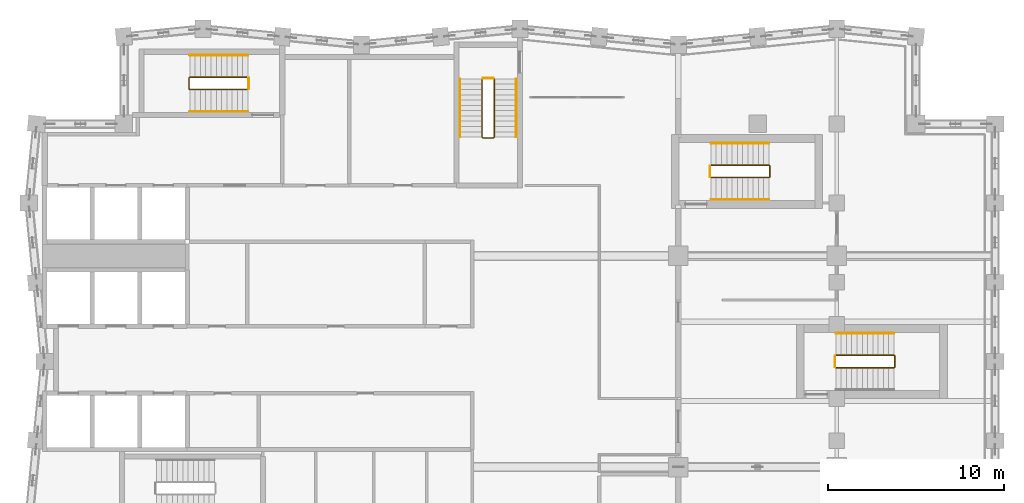
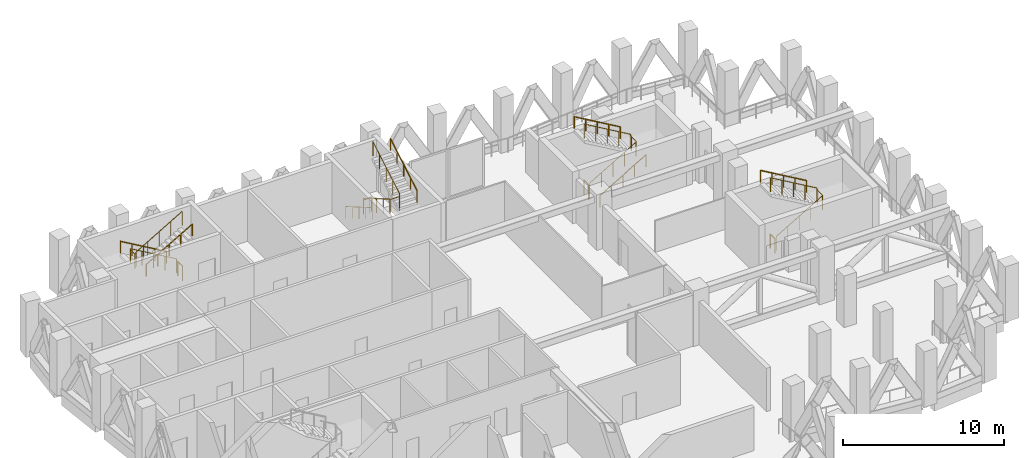
# One storey, part 18 of 18: 15 railings.
"""IFC4 building model written with IfcOpenShell, lengths in metres."""

from ifc_helpers import new_model, si_unit, direction, frame, origin, origin_2d, place, context, subcontext, project, spatial, circle, extrude, material, type_object, element, save


model = new_model("IFC4")

# Units and contexts
model_context = context("Model", 3, precision=1e-05, world=origin(), true_north=direction((0.0, 1.0)))
body_context = subcontext(model_context, "Body", "Model", "MODEL_VIEW")
ifc_project = project(units=[si_unit("LENGTHUNIT", "METRE"), si_unit("AREAUNIT", "SQUARE_METRE"), si_unit("VOLUMEUNIT", "CUBIC_METRE"), si_unit("PLANEANGLEUNIT", "RADIAN"), si_unit("MASSUNIT", "GRAM", prefix="KILO")], contexts=[model_context])

# Site, building, storey
site_placement = place(None, origin())
site = spatial("IfcSite", under=ifc_project, at=site_placement, CompositionType="ELEMENT")
building_placement = place(site_placement, origin())
building = spatial("IfcBuilding", under=site, at=building_placement, Name="Brondeck Convention Tower", CompositionType="ELEMENT")
storey_placement = place(building_placement, frame((0.0, 0.0, 248.199951171875)))
storey = spatial("IfcBuildingStorey", under=building, at=storey_placement, Name="L61", CompositionType="ELEMENT", Elevation=248.199951171875)

# Railings
ifc_material = material(Name="Steel S355", Category="steel")
railing_type_1 = type_object("IfcRailingType", Name="Stair guard 1100", PredefinedType="GUARDRAIL", material=ifc_material)
railing_1_placement = place(storey_placement, frame((24.85009765625, 61.050048828125, 0.175048828125)))
element("IfcRailing", 1, at=railing_1_placement, inside=storey, type_object=railing_type_1, Name="L61 ST-2 stair guard 1", PredefinedType="GUARDRAIL", context=body_context, shape_type="SweptSolid", body=[
    extrude(circle(Radius=0.02392578125, at=origin_2d()), frame((0.0, 0.0, 1.076171875), z_axis=(0.0, -0.863776583165, 0.503874998761), x_axis=(1.0, 0.0, 0.0)), (0.0, 0.0, 1.0), 3.820556640625),
    extrude(circle(Radius=0.02392578125, at=origin_2d()), frame((0.0, -3.300048828125, 3.0009765625), z_axis=(0.705375805398, -0.708833529934, 0.0), x_axis=(0.708833529934, 0.705375805398, 0.0)), (0.0, 0.0, 1.0), 0.070556640625),
    extrude(circle(Radius=0.02392578125, at=origin_2d()), frame((0.0498046875, -3.35009765625, 3.0009765625), z_axis=(1.0, 0.0, 0.0), x_axis=(0.0, 1.0, 0.0)), (0.0, 0.0, 1.0), 0.60009765625),
    extrude(circle(Radius=0.02392578125, at=origin_2d()), frame((0.64990234375, -3.35009765625, 3.0009765625), z_axis=(0.265065253269, 0.265065253269, 0.927081885822), x_axis=(-0.707106781187, 0.707106781187, 0.0)), (0.0, 0.0, 1.0), 0.188720703125),
    extrude(circle(Radius=0.02392578125, at=origin_2d()), frame((0.699951171875, -3.300048828125, 3.17626953125), z_axis=(0.0, 0.863804395585, 0.503827317807), x_axis=(-1.0, 0.0, 0.0)), (0.0, 0.0, 1.0), 3.8203125),
    extrude(circle(Radius=0.02099609375, at=origin_2d()), origin(), (0.0, 0.0, 1.0), 1.052001953125),
    extrude(circle(Radius=0.02099609375, at=origin_2d()), frame((0.0, -0.824951171875, 0.481201171875)), (0.0, 0.0, 1.0), 1.052001953125),
    extrude(circle(Radius=0.02099609375, at=origin_2d()), frame((0.0, -1.64990234375, 0.96240234375)), (0.0, 0.0, 1.0), 1.052001953125),
    extrude(circle(Radius=0.02099609375, at=origin_2d()), frame((0.0, -2.47509765625, 1.44384765625)), (0.0, 0.0, 1.0), 1.052001953125),
    extrude(circle(Radius=0.02099609375, at=origin_2d()), frame((0.0, -3.300048828125, 1.925048828125)), (0.0, 0.0, 1.0), 1.052001953125),
    extrude(circle(Radius=0.02099609375, at=origin_2d()), frame((0.0498046875, -3.35009765625, 1.925048828125)), (0.0, 0.0, 1.0), 1.052001953125),
    extrude(circle(Radius=0.02099609375, at=origin_2d()), frame((0.64990234375, -3.35009765625, 1.925048828125)), (0.0, 0.0, 1.0), 1.052001953125),
    extrude(circle(Radius=0.02099609375, at=origin_2d()), frame((0.699951171875, -3.300048828125, 2.10009765625)), (0.0, 0.0, 1.0), 1.052001953125),
    extrude(circle(Radius=0.02099609375, at=origin_2d()), frame((0.699951171875, -2.47509765625, 2.581298828125)), (0.0, 0.0, 1.0), 1.052001953125),
    extrude(circle(Radius=0.02099609375, at=origin_2d()), frame((0.699951171875, -1.64990234375, 3.0625)), (0.0, 0.0, 1.0), 1.052001953125),
    extrude(circle(Radius=0.02099609375, at=origin_2d()), frame((0.699951171875, -0.824951171875, 3.543701171875)), (0.0, 0.0, 1.0), 1.052001953125),
    extrude(circle(Radius=0.02099609375, at=origin_2d()), frame((0.699951171875, 0.0, 4.02490234375)), (0.0, 0.0, 1.0), 1.052001953125),
])
railing_2_placement = place(storey_placement, frame((24.89990234375, 61.10009765625, 0.0)))
element("IfcRailing", 2, at=railing_2_placement, inside=storey, type_object=railing_type_1, Name="L61 ST-2 stair guard 2", PredefinedType="GUARDRAIL", context=body_context, shape_type="SweptSolid", body=[
    extrude(circle(Radius=0.02392578125, at=origin_2d()), frame((0.0, 0.0, 1.076171875), z_axis=(1.0, 0.0, 0.0), x_axis=(0.0, 1.0, 0.0)), (0.0, 0.0, 1.0), 0.60009765625),
    extrude(circle(Radius=0.02099609375, at=origin_2d()), origin(), (0.0, 0.0, 1.0), 1.052001953125),
    extrude(circle(Radius=0.02099609375, at=origin_2d()), frame((0.60009765625, 0.0, 0.0)), (0.0, 0.0, 1.0), 1.052001953125),
])
railing_3_placement = place(storey_placement, frame((11.550048828125, 61.14990234375, 0.175048828125)))
element("IfcRailing", 3, at=railing_3_placement, inside=storey, type_object=railing_type_1, Name="L61 ST-3 stair guard 1", PredefinedType="GUARDRAIL", context=body_context, shape_type="SweptSolid", body=[
    extrude(circle(Radius=0.02392578125, at=origin_2d()), frame((0.0, 0.0, 1.076171875), z_axis=(-0.863776583165, 0.0, 0.503874998761), x_axis=(0.0, -1.0, 0.0)), (0.0, 0.0, 1.0), 3.820556640625),
    extrude(circle(Radius=0.02392578125, at=origin_2d()), frame((-3.300048828125, 0.0, 3.0009765625), z_axis=(-0.708833529934, -0.705375805398, 0.0), x_axis=(0.705375805398, -0.708833529934, 0.0)), (0.0, 0.0, 1.0), 0.070556640625),
    extrude(circle(Radius=0.02392578125, at=origin_2d()), frame((-3.35009765625, -0.0498046875, 3.0009765625), z_axis=(0.0, -1.0, 0.0), x_axis=(1.0, 0.0, 0.0)), (0.0, 0.0, 1.0), 0.60009765625),
    extrude(circle(Radius=0.02392578125, at=origin_2d()), frame((-3.35009765625, -0.64990234375, 3.0009765625), z_axis=(0.265065253269, -0.265065253269, 0.927081885822), x_axis=(0.707106781187, 0.707106781187, 0.0)), (0.0, 0.0, 1.0), 0.188720703125),
    extrude(circle(Radius=0.02392578125, at=origin_2d()), frame((-3.300048828125, -0.699951171875, 3.17626953125), z_axis=(0.863804395585, 0.0, 0.503827317807), x_axis=(0.0, 1.0, 0.0)), (0.0, 0.0, 1.0), 3.8203125),
    extrude(circle(Radius=0.02099609375, at=origin_2d()), origin(), (0.0, 0.0, 1.0), 1.052001953125),
    extrude(circle(Radius=0.02099609375, at=origin_2d()), frame((-0.824951171875, 0.0, 0.481201171875)), (0.0, 0.0, 1.0), 1.052001953125),
    extrude(circle(Radius=0.02099609375, at=origin_2d()), frame((-1.64990234375, 0.0, 0.96240234375)), (0.0, 0.0, 1.0), 1.052001953125),
    extrude(circle(Radius=0.02099609375, at=origin_2d()), frame((-2.47509765625, 0.0, 1.44384765625)), (0.0, 0.0, 1.0), 1.052001953125),
    extrude(circle(Radius=0.02099609375, at=origin_2d()), frame((-3.300048828125, 0.0, 1.925048828125)), (0.0, 0.0, 1.0), 1.052001953125),
    extrude(circle(Radius=0.02099609375, at=origin_2d()), frame((-3.35009765625, -0.0498046875, 1.925048828125)), (0.0, 0.0, 1.0), 1.052001953125),
    extrude(circle(Radius=0.02099609375, at=origin_2d()), frame((-3.35009765625, -0.64990234375, 1.925048828125)), (0.0, 0.0, 1.0), 1.052001953125),
    extrude(circle(Radius=0.02099609375, at=origin_2d()), frame((-3.300048828125, -0.699951171875, 2.10009765625)), (0.0, 0.0, 1.0), 1.052001953125),
    extrude(circle(Radius=0.02099609375, at=origin_2d()), frame((-2.47509765625, -0.699951171875, 2.581298828125)), (0.0, 0.0, 1.0), 1.052001953125),
    extrude(circle(Radius=0.02099609375, at=origin_2d()), frame((-1.64990234375, -0.699951171875, 3.0625)), (0.0, 0.0, 1.0), 1.052001953125),
    extrude(circle(Radius=0.02099609375, at=origin_2d()), frame((-0.824951171875, -0.699951171875, 3.543701171875)), (0.0, 0.0, 1.0), 1.052001953125),
    extrude(circle(Radius=0.02099609375, at=origin_2d()), frame((0.0, -0.699951171875, 4.02490234375)), (0.0, 0.0, 1.0), 1.052001953125),
])
railing_4_placement = place(storey_placement, frame((11.60009765625, 61.10009765625, 0.0)))
element("IfcRailing", 4, at=railing_4_placement, inside=storey, type_object=railing_type_1, Name="L61 ST-3 stair guard 2", PredefinedType="GUARDRAIL", context=body_context, shape_type="SweptSolid", body=[
    extrude(circle(Radius=0.02392578125, at=origin_2d()), frame((0.0, 0.0, 1.076171875), z_axis=(0.0, -1.0, 0.0), x_axis=(1.0, 0.0, 0.0)), (0.0, 0.0, 1.0), 0.60009765625),
    extrude(circle(Radius=0.02099609375, at=origin_2d()), origin(), (0.0, 0.0, 1.0), 1.052001953125),
    extrude(circle(Radius=0.02099609375, at=origin_2d()), frame((0.0, -0.60009765625, 0.0)), (0.0, 0.0, 1.0), 1.052001953125),
])
railing_5_placement = place(storey_placement, frame((37.85009765625, 55.449951171875, 0.175048828125)))
element("IfcRailing", 5, at=railing_5_placement, inside=storey, type_object=railing_type_1, Name="L61 ST-AE stair guard 1", PredefinedType="GUARDRAIL", context=body_context, shape_type="SweptSolid", body=[
    extrude(circle(Radius=0.02392578125, at=origin_2d()), frame((0.0, 0.0, 1.076171875), z_axis=(0.863760357493, 0.0, 0.503902812876), x_axis=(0.0, 1.0, 0.0)), (0.0, 0.0, 1.0), 3.8203125),
    extrude(circle(Radius=0.02392578125, at=origin_2d()), frame((3.2998046875, 0.0, 3.0009765625), z_axis=(0.707106781187, 0.707106781187, 0.0), x_axis=(-0.707106781187, 0.707106781187, 0.0)), (0.0, 0.0, 1.0), 0.07080078125),
    extrude(circle(Radius=0.02392578125, at=origin_2d()), frame((3.349853515625, 0.050048828125, 3.0009765625), z_axis=(0.0, 1.0, 0.0), x_axis=(-1.0, 0.0, 0.0)), (0.0, 0.0, 1.0), 0.60009765625),
    extrude(circle(Radius=0.02392578125, at=origin_2d()), frame((3.349853515625, 0.650146484375, 3.0009765625), z_axis=(-0.265155923931, 0.263862480399, 0.927399011991), x_axis=(-0.705375805398, -0.708833529934, 0.0)), (0.0, 0.0, 1.0), 0.188720703125),
    extrude(circle(Radius=0.02392578125, at=origin_2d()), frame((3.2998046875, 0.699951171875, 3.17626953125), z_axis=(-0.863788172461, 0.0, 0.503855131081), x_axis=(0.0, -1.0, 0.0)), (0.0, 0.0, 1.0), 3.820068359375),
    extrude(circle(Radius=0.02099609375, at=origin_2d()), origin(), (0.0, 0.0, 1.0), 1.052001953125),
    extrude(circle(Radius=0.02099609375, at=origin_2d()), frame((0.824951171875, 0.0, 0.481201171875)), (0.0, 0.0, 1.0), 1.052001953125),
    extrude(circle(Radius=0.02099609375, at=origin_2d()), frame((1.64990234375, 0.0, 0.96240234375)), (0.0, 0.0, 1.0), 1.052001953125),
    extrude(circle(Radius=0.02099609375, at=origin_2d()), frame((2.474853515625, 0.0, 1.44384765625)), (0.0, 0.0, 1.0), 1.052001953125),
    extrude(circle(Radius=0.02099609375, at=origin_2d()), frame((3.2998046875, 0.0, 1.925048828125)), (0.0, 0.0, 1.0), 1.052001953125),
    extrude(circle(Radius=0.02099609375, at=origin_2d()), frame((3.349853515625, 0.050048828125, 1.925048828125)), (0.0, 0.0, 1.0), 1.052001953125),
    extrude(circle(Radius=0.02099609375, at=origin_2d()), frame((3.349853515625, 0.650146484375, 1.925048828125)), (0.0, 0.0, 1.0), 1.052001953125),
    extrude(circle(Radius=0.02099609375, at=origin_2d()), frame((3.2998046875, 0.699951171875, 2.10009765625)), (0.0, 0.0, 1.0), 1.052001953125),
    extrude(circle(Radius=0.02099609375, at=origin_2d()), frame((2.474853515625, 0.699951171875, 2.581298828125)), (0.0, 0.0, 1.0), 1.052001953125),
    extrude(circle(Radius=0.02099609375, at=origin_2d()), frame((1.64990234375, 0.699951171875, 3.0625)), (0.0, 0.0, 1.0), 1.052001953125),
    extrude(circle(Radius=0.02099609375, at=origin_2d()), frame((0.824951171875, 0.699951171875, 3.543701171875)), (0.0, 0.0, 1.0), 1.052001953125),
    extrude(circle(Radius=0.02099609375, at=origin_2d()), frame((0.0, 0.699951171875, 4.02490234375)), (0.0, 0.0, 1.0), 1.052001953125),
])
railing_6_placement = place(storey_placement, frame((37.800048828125, 55.5, 0.0)))
element("IfcRailing", 6, at=railing_6_placement, inside=storey, type_object=railing_type_1, Name="L61 ST-AE stair guard 2", PredefinedType="GUARDRAIL", context=body_context, shape_type="SweptSolid", body=[
    extrude(circle(Radius=0.02392578125, at=origin_2d()), frame((0.0, 0.0, 1.076171875), z_axis=(0.0, 1.0, 0.0), x_axis=(-1.0, 0.0, 0.0)), (0.0, 0.0, 1.0), 0.60009765625),
    extrude(circle(Radius=0.02099609375, at=origin_2d()), origin(), (0.0, 0.0, 1.0), 1.052001953125),
    extrude(circle(Radius=0.02099609375, at=origin_2d()), frame((0.0, 0.60009765625, 0.0)), (0.0, 0.0, 1.0), 1.052001953125),
])
railing_7_placement = place(storey_placement, frame((44.949951171875, 44.64990234375, 0.175048828125)))
element("IfcRailing", 7, at=railing_7_placement, inside=storey, type_object=railing_type_1, Name="L61 ST-AF stair guard 1", PredefinedType="GUARDRAIL", context=body_context, shape_type="SweptSolid", body=[
    extrude(circle(Radius=0.02392578125, at=origin_2d()), frame((0.0, 0.0, 1.076171875), z_axis=(0.863776583165, 0.0, 0.503874998761), x_axis=(0.0, 1.0, 0.0)), (0.0, 0.0, 1.0), 3.820556640625),
    extrude(circle(Radius=0.02392578125, at=origin_2d()), frame((3.300048828125, 0.0, 3.0009765625), z_axis=(0.707106781187, 0.707106781187, 0.0), x_axis=(-0.707106781187, 0.707106781187, 0.0)), (0.0, 0.0, 1.0), 0.07080078125),
    extrude(circle(Radius=0.02392578125, at=origin_2d()), frame((3.35009765625, 0.050048828125, 3.0009765625), z_axis=(0.0, 1.0, 0.0), x_axis=(-1.0, 0.0, 0.0)), (0.0, 0.0, 1.0), 0.60009765625),
    extrude(circle(Radius=0.02392578125, at=origin_2d()), frame((3.35009765625, 0.650146484375, 3.0009765625), z_axis=(-0.265065253269, 0.265065253269, 0.927081885822), x_axis=(-0.707106781187, -0.707106781187, 0.0)), (0.0, 0.0, 1.0), 0.188720703125),
    extrude(circle(Radius=0.02392578125, at=origin_2d()), frame((3.300048828125, 0.7001953125, 3.17626953125), z_axis=(-0.863804395585, 0.0, 0.503827317807), x_axis=(0.0, -1.0, 0.0)), (0.0, 0.0, 1.0), 3.8203125),
    extrude(circle(Radius=0.02099609375, at=origin_2d()), origin(), (0.0, 0.0, 1.0), 1.052001953125),
    extrude(circle(Radius=0.02099609375, at=origin_2d()), frame((0.824951171875, 0.0, 0.481201171875)), (0.0, 0.0, 1.0), 1.052001953125),
    extrude(circle(Radius=0.02099609375, at=origin_2d()), frame((1.64990234375, 0.0, 0.96240234375)), (0.0, 0.0, 1.0), 1.052001953125),
    extrude(circle(Radius=0.02099609375, at=origin_2d()), frame((2.47509765625, 0.0, 1.44384765625)), (0.0, 0.0, 1.0), 1.052001953125),
    extrude(circle(Radius=0.02099609375, at=origin_2d()), frame((3.300048828125, 0.0, 1.925048828125)), (0.0, 0.0, 1.0), 1.052001953125),
    extrude(circle(Radius=0.02099609375, at=origin_2d()), frame((3.35009765625, 0.050048828125, 1.925048828125)), (0.0, 0.0, 1.0), 1.052001953125),
    extrude(circle(Radius=0.02099609375, at=origin_2d()), frame((3.35009765625, 0.650146484375, 1.925048828125)), (0.0, 0.0, 1.0), 1.052001953125),
    extrude(circle(Radius=0.02099609375, at=origin_2d()), frame((3.300048828125, 0.7001953125, 2.10009765625)), (0.0, 0.0, 1.0), 1.052001953125),
    extrude(circle(Radius=0.02099609375, at=origin_2d()), frame((2.47509765625, 0.7001953125, 2.581298828125)), (0.0, 0.0, 1.0), 1.052001953125),
    extrude(circle(Radius=0.02099609375, at=origin_2d()), frame((1.64990234375, 0.7001953125, 3.0625)), (0.0, 0.0, 1.0), 1.052001953125),
    extrude(circle(Radius=0.02099609375, at=origin_2d()), frame((0.824951171875, 0.7001953125, 3.543701171875)), (0.0, 0.0, 1.0), 1.052001953125),
    extrude(circle(Radius=0.02099609375, at=origin_2d()), frame((0.0, 0.7001953125, 4.02490234375)), (0.0, 0.0, 1.0), 1.052001953125),
])
railing_8_placement = place(storey_placement, frame((44.89990234375, 44.699951171875, 0.0)))
element("IfcRailing", 8, at=railing_8_placement, inside=storey, type_object=railing_type_1, Name="L61 ST-AF stair guard 2", PredefinedType="GUARDRAIL", context=body_context, shape_type="SweptSolid", body=[
    extrude(circle(Radius=0.02392578125, at=origin_2d()), frame((0.0, 0.0, 1.076171875), z_axis=(0.0, 1.0, 0.0), x_axis=(-1.0, 0.0, 0.0)), (0.0, 0.0, 1.0), 0.60009765625),
    extrude(circle(Radius=0.02099609375, at=origin_2d()), origin(), (0.0, 0.0, 1.0), 1.052001953125),
    extrude(circle(Radius=0.02099609375, at=origin_2d()), frame((0.0, 0.60009765625, 0.0)), (0.0, 0.0, 1.0), 1.052001953125),
])
railing_type_2 = type_object("IfcRailingType", Name="Stair handrail", PredefinedType="HANDRAIL", material=ifc_material)
railing_9_placement = place(storey_placement, frame((23.60009765625, 61.050048828125, 0.175048828125)))
element("IfcRailing", 9, at=railing_9_placement, inside=storey, type_object=railing_type_2, Name="L61 ST-2 stair handrail 1", PredefinedType="HANDRAIL", context=body_context, shape_type="SweptSolid", body=[
    extrude(circle(Radius=0.02392578125, at=origin_2d()), frame((0.0, 0.0, 0.8759765625), z_axis=(0.0, -0.863776583165, 0.503874998761), x_axis=(1.0, 0.0, 0.0)), (0.0, 0.0, 1.0), 3.820556640625),
    extrude(circle(Radius=0.02099609375, at=origin_2d()), origin(), (0.0, 0.0, 1.0), 0.851806640625),
    extrude(circle(Radius=0.02099609375, at=origin_2d()), frame((0.0, -0.824951171875, 0.481201171875)), (0.0, 0.0, 1.0), 0.851806640625),
    extrude(circle(Radius=0.02099609375, at=origin_2d()), frame((0.0, -1.64990234375, 0.96240234375)), (0.0, 0.0, 1.0), 0.851806640625),
    extrude(circle(Radius=0.02099609375, at=origin_2d()), frame((0.0, -2.47509765625, 1.44384765625)), (0.0, 0.0, 1.0), 0.851806640625),
    extrude(circle(Radius=0.02099609375, at=origin_2d()), frame((0.0, -3.300048828125, 1.925048828125)), (0.0, 0.0, 1.0), 0.851806640625),
])
railing_10_placement = place(storey_placement, frame((26.800048828125, 57.75, 2.275146484375)))
element("IfcRailing", 10, at=railing_10_placement, inside=storey, type_object=railing_type_2, Name="L61 ST-2 stair handrail 2", PredefinedType="HANDRAIL", context=body_context, shape_type="SweptSolid", body=[
    extrude(circle(Radius=0.02392578125, at=origin_2d()), frame((0.0, 0.0, 0.8759765625), z_axis=(0.0, 0.863804395585, 0.503827317807), x_axis=(-1.0, 0.0, 0.0)), (0.0, 0.0, 1.0), 3.8203125),
    extrude(circle(Radius=0.02099609375, at=origin_2d()), origin(), (0.0, 0.0, 1.0), 0.851806640625),
    extrude(circle(Radius=0.02099609375, at=origin_2d()), frame((0.0, 0.824951171875, 0.481201171875)), (0.0, 0.0, 1.0), 0.851806640625),
    extrude(circle(Radius=0.02099609375, at=origin_2d()), frame((0.0, 1.64990234375, 0.96240234375)), (0.0, 0.0, 1.0), 0.851806640625),
    extrude(circle(Radius=0.02099609375, at=origin_2d()), frame((0.0, 2.47509765625, 1.443603515625)), (0.0, 0.0, 1.0), 0.851806640625),
    extrude(circle(Radius=0.02099609375, at=origin_2d()), frame((0.0, 3.300048828125, 1.9248046875)), (0.0, 0.0, 1.0), 0.851806640625),
])
railing_11_placement = place(storey_placement, frame((11.550048828125, 62.39990234375, 0.175048828125)))
element("IfcRailing", 11, at=railing_11_placement, inside=storey, type_object=railing_type_2, Name="L61 ST-3 stair handrail 1", PredefinedType="HANDRAIL", context=body_context, shape_type="SweptSolid", body=[
    extrude(circle(Radius=0.02392578125, at=origin_2d()), frame((0.0, 0.0, 0.8759765625), z_axis=(-0.863776583165, 0.0, 0.503874998761), x_axis=(0.0, -1.0, 0.0)), (0.0, 0.0, 1.0), 3.820556640625),
    extrude(circle(Radius=0.02099609375, at=origin_2d()), origin(), (0.0, 0.0, 1.0), 0.851806640625),
    extrude(circle(Radius=0.02099609375, at=origin_2d()), frame((-0.824951171875, 0.0, 0.481201171875)), (0.0, 0.0, 1.0), 0.851806640625),
    extrude(circle(Radius=0.02099609375, at=origin_2d()), frame((-1.64990234375, 0.0, 0.96240234375)), (0.0, 0.0, 1.0), 0.851806640625),
    extrude(circle(Radius=0.02099609375, at=origin_2d()), frame((-2.47509765625, 0.0, 1.44384765625)), (0.0, 0.0, 1.0), 0.851806640625),
    extrude(circle(Radius=0.02099609375, at=origin_2d()), frame((-3.300048828125, 0.0, 1.925048828125)), (0.0, 0.0, 1.0), 0.851806640625),
])
railing_12_placement = place(storey_placement, frame((8.25, 59.199951171875, 2.275146484375)))
element("IfcRailing", 12, at=railing_12_placement, inside=storey, type_object=railing_type_2, Name="L61 ST-3 stair handrail 2", PredefinedType="HANDRAIL", context=body_context, shape_type="SweptSolid", body=[
    extrude(circle(Radius=0.02392578125, at=origin_2d()), frame((0.0, 0.0, 0.8759765625), z_axis=(0.863804395585, 0.0, 0.503827317807), x_axis=(0.0, 1.0, 0.0)), (0.0, 0.0, 1.0), 3.8203125),
    extrude(circle(Radius=0.02099609375, at=origin_2d()), origin(), (0.0, 0.0, 1.0), 0.851806640625),
    extrude(circle(Radius=0.02099609375, at=origin_2d()), frame((0.824951171875, 0.0, 0.481201171875)), (0.0, 0.0, 1.0), 0.851806640625),
    extrude(circle(Radius=0.02099609375, at=origin_2d()), frame((1.64990234375, 0.0, 0.96240234375)), (0.0, 0.0, 1.0), 0.851806640625),
    extrude(circle(Radius=0.02099609375, at=origin_2d()), frame((2.47509765625, 0.0, 1.443603515625)), (0.0, 0.0, 1.0), 0.851806640625),
    extrude(circle(Radius=0.02099609375, at=origin_2d()), frame((3.300048828125, 0.0, 1.9248046875)), (0.0, 0.0, 1.0), 0.851806640625),
])
railing_13_placement = place(storey_placement, frame((37.85009765625, 54.199951171875, 0.175048828125)))
element("IfcRailing", 13, at=railing_13_placement, inside=storey, type_object=railing_type_2, Name="L61 ST-AE stair handrail 1", PredefinedType="HANDRAIL", context=body_context, shape_type="SweptSolid", body=[
    extrude(circle(Radius=0.02392578125, at=origin_2d()), frame((0.0, 0.0, 0.8759765625), z_axis=(0.863760357493, 0.0, 0.503902812876), x_axis=(0.0, 1.0, 0.0)), (0.0, 0.0, 1.0), 3.8203125),
    extrude(circle(Radius=0.02099609375, at=origin_2d()), origin(), (0.0, 0.0, 1.0), 0.851806640625),
    extrude(circle(Radius=0.02099609375, at=origin_2d()), frame((0.824951171875, 0.0, 0.481201171875)), (0.0, 0.0, 1.0), 0.851806640625),
    extrude(circle(Radius=0.02099609375, at=origin_2d()), frame((1.64990234375, 0.0, 0.96240234375)), (0.0, 0.0, 1.0), 0.851806640625),
    extrude(circle(Radius=0.02099609375, at=origin_2d()), frame((2.474853515625, 0.0, 1.44384765625)), (0.0, 0.0, 1.0), 0.851806640625),
    extrude(circle(Radius=0.02099609375, at=origin_2d()), frame((3.2998046875, 0.0, 1.925048828125)), (0.0, 0.0, 1.0), 0.851806640625),
])
railing_14_placement = place(storey_placement, frame((41.14990234375, 57.39990234375, 2.275146484375)))
element("IfcRailing", 14, at=railing_14_placement, inside=storey, type_object=railing_type_2, Name="L61 ST-AE stair handrail 2", PredefinedType="HANDRAIL", context=body_context, shape_type="SweptSolid", body=[
    extrude(circle(Radius=0.02392578125, at=origin_2d()), frame((0.0, 0.0, 0.8759765625), z_axis=(-0.863788172461, 0.0, 0.503855131081), x_axis=(0.0, -1.0, 0.0)), (0.0, 0.0, 1.0), 3.820068359375),
    extrude(circle(Radius=0.02099609375, at=origin_2d()), origin(), (0.0, 0.0, 1.0), 0.851806640625),
    extrude(circle(Radius=0.02099609375, at=origin_2d()), frame((-0.824951171875, 0.0, 0.481201171875)), (0.0, 0.0, 1.0), 0.851806640625),
    extrude(circle(Radius=0.02099609375, at=origin_2d()), frame((-1.64990234375, 0.0, 0.96240234375)), (0.0, 0.0, 1.0), 0.851806640625),
    extrude(circle(Radius=0.02099609375, at=origin_2d()), frame((-2.474853515625, 0.0, 1.443603515625)), (0.0, 0.0, 1.0), 0.851806640625),
    extrude(circle(Radius=0.02099609375, at=origin_2d()), frame((-3.2998046875, 0.0, 1.9248046875)), (0.0, 0.0, 1.0), 0.851806640625),
])
railing_15_placement = place(storey_placement, frame((48.25, 46.60009765625, 2.275146484375)))
element("IfcRailing", 15, at=railing_15_placement, inside=storey, type_object=railing_type_2, Name="L61 ST-AF stair handrail 2", PredefinedType="HANDRAIL", context=body_context, shape_type="SweptSolid", body=[
    extrude(circle(Radius=0.02392578125, at=origin_2d()), frame((0.0, 0.0, 0.8759765625), z_axis=(-0.863804395585, 0.0, 0.503827317807), x_axis=(0.0, -1.0, 0.0)), (0.0, 0.0, 1.0), 3.8203125),
    extrude(circle(Radius=0.02099609375, at=origin_2d()), origin(), (0.0, 0.0, 1.0), 0.851806640625),
    extrude(circle(Radius=0.02099609375, at=origin_2d()), frame((-0.824951171875, 0.0, 0.481201171875)), (0.0, 0.0, 1.0), 0.851806640625),
    extrude(circle(Radius=0.02099609375, at=origin_2d()), frame((-1.64990234375, 0.0, 0.96240234375)), (0.0, 0.0, 1.0), 0.851806640625),
    extrude(circle(Radius=0.02099609375, at=origin_2d()), frame((-2.47509765625, 0.0, 1.443603515625)), (0.0, 0.0, 1.0), 0.851806640625),
    extrude(circle(Radius=0.02099609375, at=origin_2d()), frame((-3.300048828125, 0.0, 1.9248046875)), (0.0, 0.0, 1.0), 0.851806640625),
])

save(model, "model.ifc")
